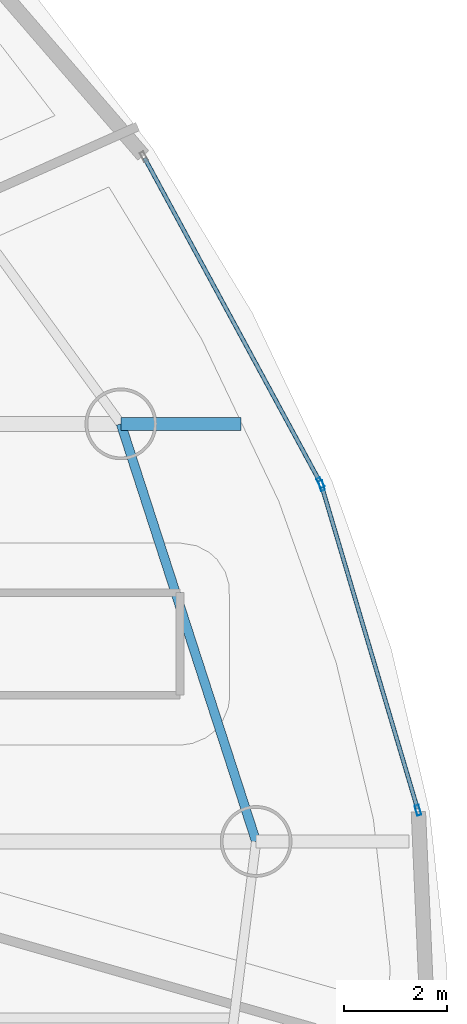
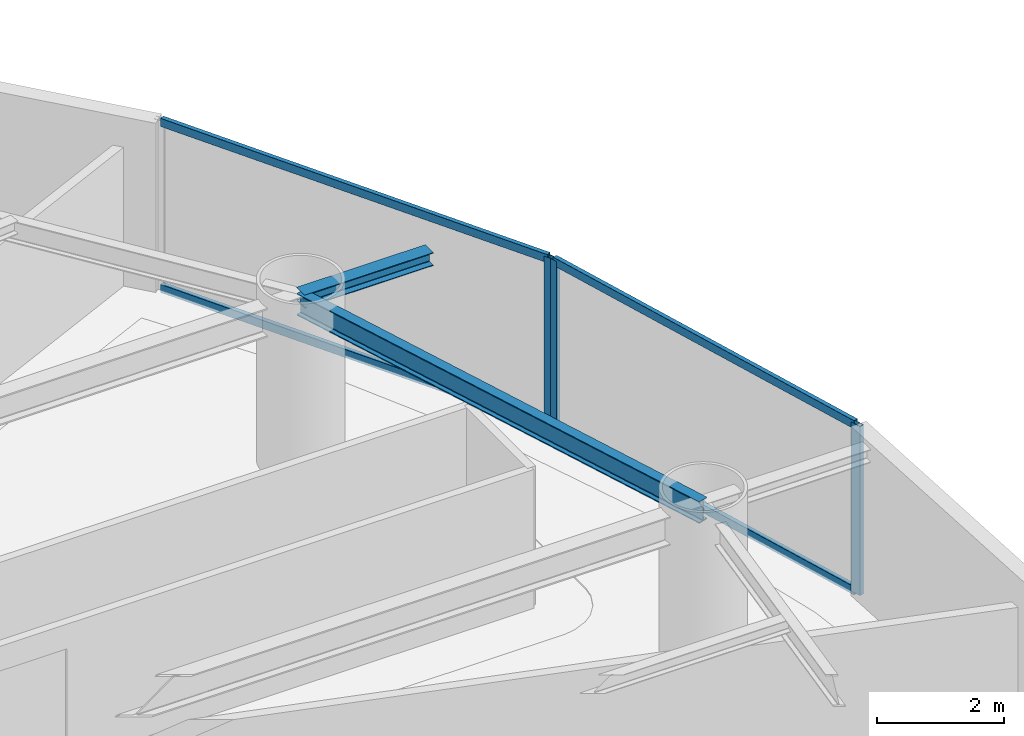
# One storey, part 9 of 22: 7 members, 2 beams, 2 elements without a shape of their own.
"""IFC4 building model written with IfcOpenShell, lengths in metres."""

from ifc_helpers import new_model, si_unit, direction, frame, origin, origin_2d, place, context, subcontext, project, spatial, hollow_rectangle, i_section, extrude, material, layer, layer_set, material_profile, profile_set, type_object, element, aggregate, save


model = new_model("IFC4")

# Units and contexts
model_context = context("Model", 3, precision=1e-05, world=origin(), true_north=direction((0.0, 1.0)))
body_context = subcontext(model_context, "Body", "Model", "MODEL_VIEW")
ifc_project = project(units=[si_unit("LENGTHUNIT", "METRE"), si_unit("AREAUNIT", "SQUARE_METRE"), si_unit("VOLUMEUNIT", "CUBIC_METRE"), si_unit("PLANEANGLEUNIT", "RADIAN"), si_unit("MASSUNIT", "GRAM", prefix="KILO")], contexts=[model_context])

# Site, building, storey
site_placement = place(None, origin())
site = spatial("IfcSite", under=ifc_project, at=site_placement, CompositionType="ELEMENT")
building_placement = place(site_placement, origin())
building = spatial("IfcBuilding", under=site, at=building_placement, Name="Bramvorn Convention Spire", CompositionType="ELEMENT")
storey_placement = place(building_placement, frame((0.0, 0.0, 141.300048828125)))
storey = spatial("IfcBuildingStorey", under=building, at=storey_placement, Name="L35", CompositionType="ELEMENT", Elevation=141.300048828125)

# Beams
ifc_material_1 = material(Name="Steel CSA G40.21 Grade 350 (350W)", Category="steel")
ifc_material_profile_1 = material_profile(ifc_material_1, i_section(OverallWidth=0.25390625, OverallDepth=0.2529296875, WebThickness=0.008544921875, FlangeThickness=0.01416015625, FilletRadius=0.011962890625, at=origin_2d()))
ifc_profile_set_1 = profile_set([ifc_material_profile_1], Name="Steel CSA G40.21 Grade 350 (350W) - W250X73")
beam_type_1 = type_object("IfcBeamType", Name="BM-W250X73", PredefinedType="BEAM", material=ifc_profile_set_1)
beam_1_placement = place(storey_placement, frame((60.345703125, 30.293212890625, 3.133544921875), z_axis=(1.0, 0.0, 0.0), x_axis=(0.0, 1.0, 0.0)))
element("IfcBeam", 1, at=beam_1_placement, inside=storey, type_object=beam_type_1, Name="L35 slab-edge cantilever tip beam MC03", PredefinedType="BEAM", context=body_context, shape_type="SweptSolid", body=[
    extrude(i_section(OverallWidth=0.25390625, OverallDepth=0.2529296875, WebThickness=0.008544921875, FlangeThickness=0.01416015625, FilletRadius=0.011962890625, at=origin_2d()), origin(), (0.0, 0.0, 1.0), 2.34521484375),
])
ifc_material_profile_2 = material_profile(ifc_material_1, i_section(OverallWidth=0.180908203125, OverallDepth=0.4169921875, WebThickness=0.010986328125, FlangeThickness=0.018310546875, FilletRadius=0.01611328125, at=origin_2d()))
ifc_profile_set_2 = profile_set([ifc_material_profile_2], Name="Steel CSA G40.21 Grade 350 (350W) - W410X85")
beam_type_2 = type_object("IfcBeamType", Name="BM-W410X85", PredefinedType="JOIST", material=ifc_profile_set_2)
beam_2_placement = place(storey_placement, frame((62.983642578125, 22.148193359375, 3.051513671875), z_axis=(-0.308114853612, 0.951349166701, 0.0), x_axis=(-0.951349166701, -0.308114853612, 0.0)))
element("IfcBeam", 2, at=beam_2_placement, inside=storey, type_object=beam_type_2, Name="L35 mega-column ring beam 02", PredefinedType="JOIST", context=body_context, shape_type="SweptSolid", body=[
    extrude(i_section(OverallWidth=0.180908203125, OverallDepth=0.4169921875, WebThickness=0.010986328125, FlangeThickness=0.018310546875, FilletRadius=0.01611328125, at=origin_2d()), origin(), (0.0, 0.0, 1.0), 8.5615234375),
])

# Curtain wall, members
ifc_material_2 = material(Name="Anodised Bronze Unitised Curtain Wall", Category="aluminium")
ifc_layer = layer(ifc_material_2, 0.179931640625)
ifc_layer_set = layer_set([ifc_layer], Name="Anodised Bronze Unitised Curtain Wall - CW-HTL-FRIT")
curtain_wall_type = type_object("IfcCurtainWallType", Name="CW-HTL-FRIT", PredefinedType="USERDEFINED", material=ifc_layer_set)
curtain_wall_1_placement = place(storey_placement, origin())
curtain_wall_1 = element("IfcCurtainWall", 3, at=curtain_wall_1_placement, inside=storey, type_object=curtain_wall_type, Name="L35 fritted glass curtain wall 03", ObjectType="UNITISED CURTAIN WALL", PredefinedType="USERDEFINED")
ifc_material_3 = material(Name="Anodised Bronze Aluminium 6063-T6", Category="aluminium")
ifc_material_profile_3 = material_profile(ifc_material_3, hollow_rectangle(XDim=0.080078125, YDim=0.199951171875, WallThickness=0.00390625, InnerFilletRadius=0.0009765625, OuterFilletRadius=0.00390625, at=origin_2d()))
ifc_profile_set_3 = profile_set([ifc_material_profile_3], Name="Anodised Bronze Aluminium 6063-T6 - CWM80X200")
member_type_1 = type_object("IfcMemberType", Name="CW-MUL-180", PredefinedType="MULLION", material=ifc_profile_set_3)
member_1_placement = place(storey_placement, frame((64.260498046875, 29.08837890625, 0.0), z_axis=(0.0, 0.0, 1.0), x_axis=(0.958636760073, 0.284632328166, 0.0)))
member_1 = element("IfcMember", 4, at=member_1_placement, type_object=member_type_1, Name="CW2 mullion 1", PredefinedType="MULLION", context=body_context, shape_type="SweptSolid", body=[
    extrude(hollow_rectangle(XDim=0.080078125, YDim=0.199951171875, WallThickness=0.00390625, InnerFilletRadius=0.0009765625, OuterFilletRadius=0.00390625, at=origin_2d()), origin(), (0.0, 0.0, 1.0), 3.260009765625),
])
member_2_placement = place(storey_placement, frame((66.140380859375, 22.756591796875, 0.0), z_axis=(0.0, 0.0, 1.0), x_axis=(0.958636760073, 0.284632328166, 0.0)))
member_2 = element("IfcMember", 5, at=member_2_placement, type_object=member_type_1, Name="CW2 mullion 2", PredefinedType="MULLION", context=body_context, shape_type="SweptSolid", body=[
    extrude(hollow_rectangle(XDim=0.080078125, YDim=0.199951171875, WallThickness=0.00390625, InnerFilletRadius=0.0009765625, OuterFilletRadius=0.00390625, at=origin_2d()), origin(), (0.0, 0.0, 1.0), 3.260009765625),
])

# Curtain wall, member
curtain_wall_2_placement = place(storey_placement, origin())
curtain_wall_2 = element("IfcCurtainWall", 6, at=curtain_wall_2_placement, inside=storey, type_object=curtain_wall_type, Name="L35 fritted glass curtain wall 04", ObjectType="UNITISED CURTAIN WALL", PredefinedType="USERDEFINED")
member_3_placement = place(storey_placement, frame((64.237548828125, 29.1435546875, 0.0), z_axis=(0.0, 0.0, 1.0), x_axis=(0.87944388134, 0.476002583579, 0.0)))
member_3 = element("IfcMember", 7, at=member_3_placement, type_object=member_type_1, Name="CW2 mullion 2", PredefinedType="MULLION", context=body_context, shape_type="SweptSolid", body=[
    extrude(hollow_rectangle(XDim=0.080078125, YDim=0.199951171875, WallThickness=0.00390625, InnerFilletRadius=0.0009765625, OuterFilletRadius=0.00390625, at=origin_2d()), origin(), (0.0, 0.0, 1.0), 3.260009765625),
])

# Member
ifc_material_profile_4 = material_profile(ifc_material_3, hollow_rectangle(XDim=0.080078125, YDim=0.159912109375, WallThickness=0.00390625, InnerFilletRadius=0.0009765625, OuterFilletRadius=0.00390625, at=origin_2d()))
ifc_profile_set_4 = profile_set([ifc_material_profile_4], Name="Anodised Bronze Aluminium 6063-T6 - CWT80X160")
member_type_2 = type_object("IfcMemberType", Name="CW-TRN-150", PredefinedType="USERDEFINED", material=ifc_profile_set_4)
member_4_placement = place(storey_placement, frame((64.26904296875, 29.0595703125, 0.030029296875), z_axis=(0.284619178509, -0.958640664287, 0.0), x_axis=(0.958640664287, 0.284619178509, 0.0)))
member_4 = element("IfcMember", 8, at=member_4_placement, type_object=member_type_2, Name="CW2 transom 1.1", ObjectType="TRANSOM", PredefinedType="USERDEFINED", context=body_context, shape_type="SweptSolid", body=[
    extrude(hollow_rectangle(XDim=0.080078125, YDim=0.159912109375, WallThickness=0.00390625, InnerFilletRadius=0.0009765625, OuterFilletRadius=0.00390625, at=origin_2d()), origin(), (0.0, 0.0, 1.0), 6.544921875),
])

member_5_placement = place(storey_placement, frame((64.26904296875, 29.0595703125, 3.22998046875), z_axis=(0.284619178509, -0.958640664287, 0.0), x_axis=(0.958640664287, 0.284619178509, 0.0)))
member_5 = element("IfcMember", 9, at=member_5_placement, type_object=member_type_2, Name="CW2 transom 1.2", ObjectType="TRANSOM", PredefinedType="USERDEFINED", context=body_context, shape_type="SweptSolid", body=[
    extrude(hollow_rectangle(XDim=0.080078125, YDim=0.159912109375, WallThickness=0.00390625, InnerFilletRadius=0.0009765625, OuterFilletRadius=0.00390625, at=origin_2d()), origin(), (0.0, 0.0, 1.0), 6.544921875),
])

aggregate(curtain_wall_1, [member_1, member_2, member_4, member_5])

member_6_placement = place(storey_placement, frame((60.8095703125, 35.47705078125, 0.030029296875), z_axis=(0.476008961817, -0.879440429063, 0.0), x_axis=(0.879440429063, 0.476008961817, 0.0)))
member_6 = element("IfcMember", 10, at=member_6_placement, type_object=member_type_2, Name="CW2 transom 1.1", ObjectType="TRANSOM", PredefinedType="USERDEFINED", context=body_context, shape_type="SweptSolid", body=[
    extrude(hollow_rectangle(XDim=0.080078125, YDim=0.159912109375, WallThickness=0.00390625, InnerFilletRadius=0.0009765625, OuterFilletRadius=0.00390625, at=origin_2d()), origin(), (0.0, 0.0, 1.0), 7.171630859375),
])

member_7_placement = place(storey_placement, frame((60.8095703125, 35.47705078125, 3.22998046875), z_axis=(0.476008961817, -0.879440429063, 0.0), x_axis=(0.879440429063, 0.476008961817, 0.0)))
member_7 = element("IfcMember", 11, at=member_7_placement, type_object=member_type_2, Name="CW2 transom 1.2", ObjectType="TRANSOM", PredefinedType="USERDEFINED", context=body_context, shape_type="SweptSolid", body=[
    extrude(hollow_rectangle(XDim=0.080078125, YDim=0.159912109375, WallThickness=0.00390625, InnerFilletRadius=0.0009765625, OuterFilletRadius=0.00390625, at=origin_2d()), origin(), (0.0, 0.0, 1.0), 7.171630859375),
])

aggregate(curtain_wall_2, [member_3, member_6, member_7])

save(model, "model.ifc")
